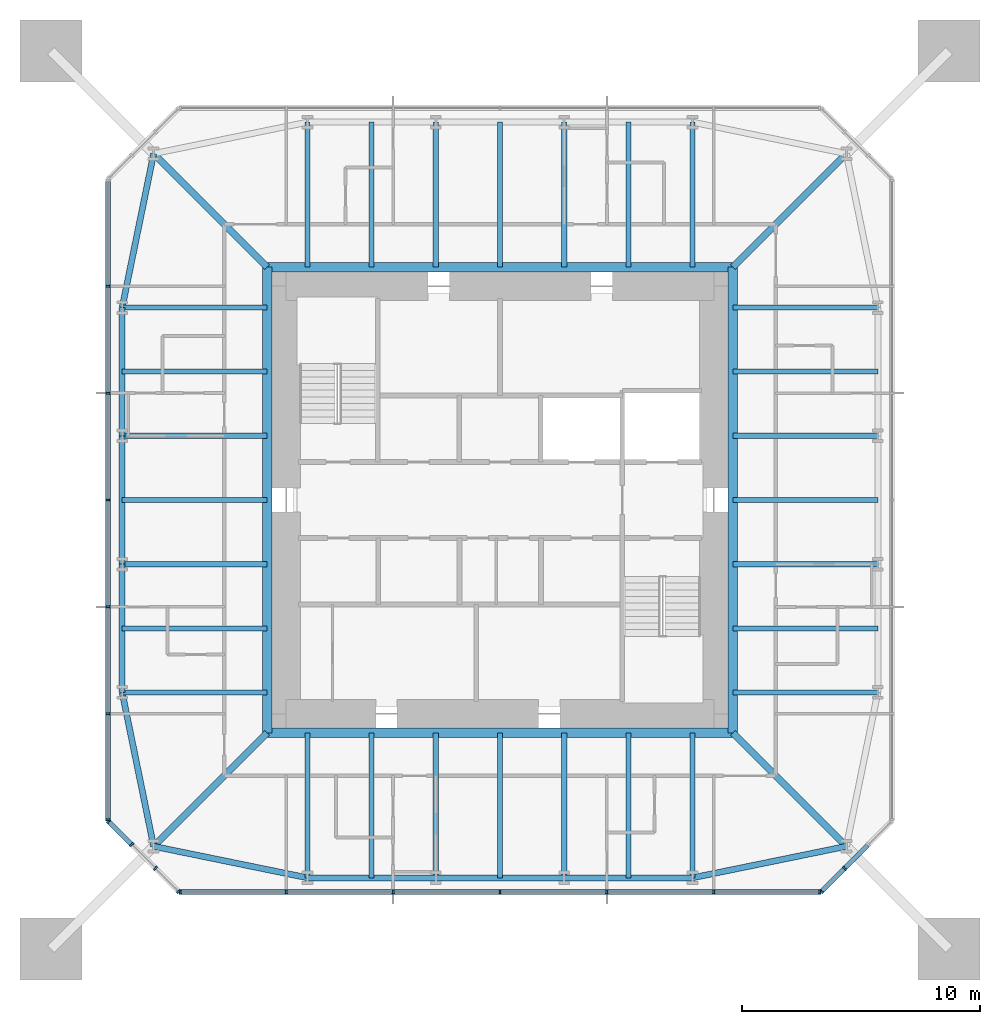
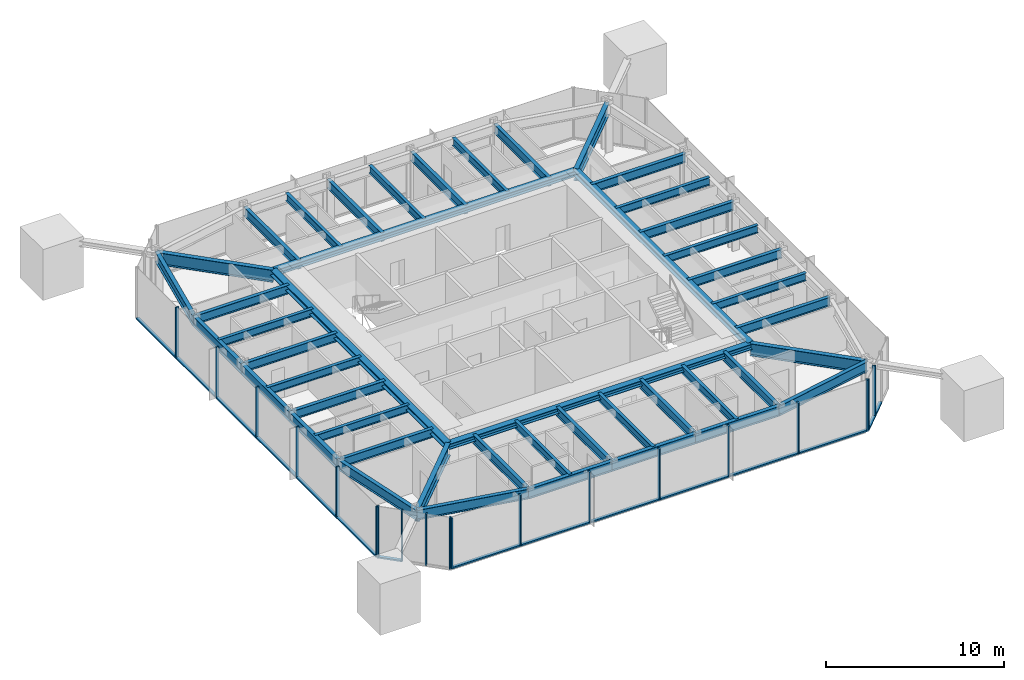
# One storey, part 2 of 9: 46 beams, 34 members, 4 elements without a shape of their own.
"""IFC4 building model written with IfcOpenShell, lengths in metres."""

from ifc_helpers import new_model, si_unit, direction, frame, origin, origin_2d, place, context, subcontext, project, spatial, rectangle, i_section, extrude, material, material_profile, profile_set, type_object, element, aggregate, save


model = new_model("IFC4")

# Units and contexts
model_context = context("Model", 3, precision=1e-05, world=origin(), true_north=direction((0.0, 1.0)))
body_context = subcontext(model_context, "Body", "Model", "MODEL_VIEW")
ifc_project = project(units=[si_unit("LENGTHUNIT", "METRE"), si_unit("AREAUNIT", "SQUARE_METRE"), si_unit("VOLUMEUNIT", "CUBIC_METRE"), si_unit("PLANEANGLEUNIT", "RADIAN"), si_unit("MASSUNIT", "GRAM", prefix="KILO")], contexts=[model_context])

# Site, building, storey
site_placement = place(None, origin())
site = spatial("IfcSite", under=ifc_project, at=site_placement, CompositionType="ELEMENT")
building_placement = place(site_placement, origin())
building = spatial("IfcBuilding", under=site, at=building_placement, Name="Iwan Alto Co-Living Towers", CompositionType="ELEMENT")
storey_placement = place(building_placement, frame((0.0, 0.0, 239.5)))
storey = spatial("IfcBuildingStorey", under=building, at=storey_placement, Name="L65", CompositionType="ELEMENT", Elevation=239.5)

# Curtain wall, members
ifc_material_1 = material(Name="Bronze aluminium unitised frame", Category="aluminium")
curtain_wall_type_1 = type_object("IfcCurtainWallType", Name="CURTAIN WALL CW-A", PredefinedType="NOTDEFINED", material=ifc_material_1)
curtain_wall_1_placement = place(storey_placement, origin())
curtain_wall_1 = element("IfcCurtainWall", 1, at=curtain_wall_1_placement, inside=storey, type_object=curtain_wall_type_1, Name="T1 curtain wall S L65", PredefinedType="NOTDEFINED")
ifc_material_2 = material(Name="Aluminium 6063-T6 bronze anodised", Category="aluminium")
ifc_material_profile_1 = material_profile(ifc_material_2, rectangle(XDim=0.199951171875, YDim=0.080078125, at=origin_2d()), Name="AL 80X200")
ifc_profile_set_1 = profile_set([ifc_material_profile_1], Name="Aluminium 6063-T6 bronze anodised")
member_type_1 = type_object("IfcMemberType", Name="CW-A MULLION 80X200", PredefinedType="MULLION", material=ifc_profile_set_1)
member_1_placement = place(storey_placement, frame((-13.4599609375, -16.5, 0.0), z_axis=(0.0, 0.0, 1.0), x_axis=(0.0, 1.0, 0.0)))
member_1 = element("IfcMember", 2, at=member_1_placement, type_object=member_type_1, Name="CW-A mullion 1", PredefinedType="MULLION", context=body_context, shape_type="SweptSolid", body=[
    extrude(rectangle(XDim=0.199951171875, YDim=0.080078125, at=origin_2d()), origin(), (0.0, 0.0, 1.0), 3.5),
])
member_2_placement = place(storey_placement, frame((-9.0, -16.5, 0.0), z_axis=(0.0, 0.0, 1.0), x_axis=(0.0, 1.0, 0.0)))
member_2 = element("IfcMember", 3, at=member_2_placement, type_object=member_type_1, Name="CW-A mullion 2", PredefinedType="MULLION", context=body_context, shape_type="SweptSolid", body=[
    extrude(rectangle(XDim=0.199951171875, YDim=0.080078125, at=origin_2d()), origin(), (0.0, 0.0, 1.0), 3.5),
])
member_3_placement = place(storey_placement, frame((-4.5, -16.5, 0.0), z_axis=(0.0, 0.0, 1.0), x_axis=(0.0, 1.0, 0.0)))
member_3 = element("IfcMember", 4, at=member_3_placement, type_object=member_type_1, Name="CW-A mullion 3", PredefinedType="MULLION", context=body_context, shape_type="SweptSolid", body=[
    extrude(rectangle(XDim=0.199951171875, YDim=0.080078125, at=origin_2d()), origin(), (0.0, 0.0, 1.0), 3.5),
])
member_4_placement = place(storey_placement, frame((0.0, -16.5, 0.0), z_axis=(0.0, 0.0, 1.0), x_axis=(0.0, 1.0, 0.0)))
member_4 = element("IfcMember", 5, at=member_4_placement, type_object=member_type_1, Name="CW-A mullion 4", PredefinedType="MULLION", context=body_context, shape_type="SweptSolid", body=[
    extrude(rectangle(XDim=0.199951171875, YDim=0.080078125, at=origin_2d()), origin(), (0.0, 0.0, 1.0), 3.5),
])
member_5_placement = place(storey_placement, frame((4.5, -16.5, 0.0), z_axis=(0.0, 0.0, 1.0), x_axis=(0.0, 1.0, 0.0)))
member_5 = element("IfcMember", 6, at=member_5_placement, type_object=member_type_1, Name="CW-A mullion 5", PredefinedType="MULLION", context=body_context, shape_type="SweptSolid", body=[
    extrude(rectangle(XDim=0.199951171875, YDim=0.080078125, at=origin_2d()), origin(), (0.0, 0.0, 1.0), 3.5),
])
member_6_placement = place(storey_placement, frame((9.0, -16.5, 0.0), z_axis=(0.0, 0.0, 1.0), x_axis=(0.0, 1.0, 0.0)))
member_6 = element("IfcMember", 7, at=member_6_placement, type_object=member_type_1, Name="CW-A mullion 6", PredefinedType="MULLION", context=body_context, shape_type="SweptSolid", body=[
    extrude(rectangle(XDim=0.199951171875, YDim=0.080078125, at=origin_2d()), origin(), (0.0, 0.0, 1.0), 3.5),
])
member_7_placement = place(storey_placement, frame((13.4599609375, -16.5, 0.0), z_axis=(0.0, 0.0, 1.0), x_axis=(0.0, 1.0, 0.0)))
member_7 = element("IfcMember", 8, at=member_7_placement, type_object=member_type_1, Name="CW-A mullion 7", PredefinedType="MULLION", context=body_context, shape_type="SweptSolid", body=[
    extrude(rectangle(XDim=0.199951171875, YDim=0.080078125, at=origin_2d()), origin(), (0.0, 0.0, 1.0), 3.5),
])

curtain_wall_2_placement = place(storey_placement, origin())
curtain_wall_2 = element("IfcCurtainWall", 9, at=curtain_wall_2_placement, inside=storey, type_object=curtain_wall_type_1, Name="T1 curtain wall W L65", PredefinedType="NOTDEFINED")
member_8_placement = place(storey_placement, frame((-16.5, 9.0, 0.0), z_axis=(0.0, 0.0, 1.0), x_axis=(1.0, 0.0, 0.0)))
member_8 = element("IfcMember", 10, at=member_8_placement, type_object=member_type_1, Name="CW-A mullion 2", PredefinedType="MULLION", context=body_context, shape_type="SweptSolid", body=[
    extrude(rectangle(XDim=0.199951171875, YDim=0.080078125, at=origin_2d()), origin(), (0.0, 0.0, 1.0), 3.5),
])
member_9_placement = place(storey_placement, frame((-16.5, 4.5, 0.0), z_axis=(0.0, 0.0, 1.0), x_axis=(1.0, 0.0, 0.0)))
member_9 = element("IfcMember", 11, at=member_9_placement, type_object=member_type_1, Name="CW-A mullion 3", PredefinedType="MULLION", context=body_context, shape_type="SweptSolid", body=[
    extrude(rectangle(XDim=0.199951171875, YDim=0.080078125, at=origin_2d()), origin(), (0.0, 0.0, 1.0), 3.5),
])
member_10_placement = place(storey_placement, frame((-16.5, 0.0, 0.0), z_axis=(0.0, 0.0, 1.0), x_axis=(1.0, 0.0, 0.0)))
member_10 = element("IfcMember", 12, at=member_10_placement, type_object=member_type_1, Name="CW-A mullion 4", PredefinedType="MULLION", context=body_context, shape_type="SweptSolid", body=[
    extrude(rectangle(XDim=0.199951171875, YDim=0.080078125, at=origin_2d()), origin(), (0.0, 0.0, 1.0), 3.5),
])
member_11_placement = place(storey_placement, frame((-16.5, -4.5, 0.0), z_axis=(0.0, 0.0, 1.0), x_axis=(1.0, 0.0, 0.0)))
member_11 = element("IfcMember", 13, at=member_11_placement, type_object=member_type_1, Name="CW-A mullion 5", PredefinedType="MULLION", context=body_context, shape_type="SweptSolid", body=[
    extrude(rectangle(XDim=0.199951171875, YDim=0.080078125, at=origin_2d()), origin(), (0.0, 0.0, 1.0), 3.5),
])
member_12_placement = place(storey_placement, frame((-16.5, -9.0, 0.0), z_axis=(0.0, 0.0, 1.0), x_axis=(1.0, 0.0, 0.0)))
member_12 = element("IfcMember", 14, at=member_12_placement, type_object=member_type_1, Name="CW-A mullion 6", PredefinedType="MULLION", context=body_context, shape_type="SweptSolid", body=[
    extrude(rectangle(XDim=0.199951171875, YDim=0.080078125, at=origin_2d()), origin(), (0.0, 0.0, 1.0), 3.5),
])
member_13_placement = place(storey_placement, frame((-16.5, -13.4599609375, 0.0), z_axis=(0.0, 0.0, 1.0), x_axis=(1.0, 0.0, 0.0)))
member_13 = element("IfcMember", 15, at=member_13_placement, type_object=member_type_1, Name="CW-A mullion 7", PredefinedType="MULLION", context=body_context, shape_type="SweptSolid", body=[
    extrude(rectangle(XDim=0.199951171875, YDim=0.080078125, at=origin_2d()), origin(), (0.0, 0.0, 1.0), 3.5),
])

# Member
ifc_material_3 = material(Name="Aluminium 6063-T6 bronze anodised", Category="aluminium")
ifc_material_profile_2 = material_profile(ifc_material_3, rectangle(XDim=0.199951171875, YDim=0.10009765625, at=origin_2d()), Name="AL 200X100")
ifc_profile_set_2 = profile_set([ifc_material_profile_2], Name="Aluminium 6063-T6 bronze anodised")
member_type_2 = type_object("IfcMemberType", Name="CW-A TRANSOM 200X100", PredefinedType="USERDEFINED", material=ifc_profile_set_2)
member_14_placement = place(storey_placement, frame((-13.419921875, -16.5, 0.050048828125), z_axis=(1.0, 0.0, 0.0), x_axis=(0.0, 1.0, 0.0)))
member_14 = element("IfcMember", 16, at=member_14_placement, type_object=member_type_2, Name="CW-A transom 1.1", ObjectType="TRANSOM", PredefinedType="USERDEFINED", context=body_context, shape_type="SweptSolid", body=[
    extrude(rectangle(XDim=0.199951171875, YDim=0.10009765625, at=origin_2d()), origin(), (0.0, 0.0, 1.0), 4.3798828125),
])

member_15_placement = place(storey_placement, frame((-8.9599609375, -16.5, 0.050048828125), z_axis=(1.0, 0.0, 0.0), x_axis=(0.0, 1.0, 0.0)))
member_15 = element("IfcMember", 17, at=member_15_placement, type_object=member_type_2, Name="CW-A transom 2.1", ObjectType="TRANSOM", PredefinedType="USERDEFINED", context=body_context, shape_type="SweptSolid", body=[
    extrude(rectangle(XDim=0.199951171875, YDim=0.10009765625, at=origin_2d()), origin(), (0.0, 0.0, 1.0), 4.419921875),
])

member_16_placement = place(storey_placement, frame((-4.4599609375, -16.5, 0.050048828125), z_axis=(1.0, 0.0, 0.0), x_axis=(0.0, 1.0, 0.0)))
member_16 = element("IfcMember", 18, at=member_16_placement, type_object=member_type_2, Name="CW-A transom 3.1", ObjectType="TRANSOM", PredefinedType="USERDEFINED", context=body_context, shape_type="SweptSolid", body=[
    extrude(rectangle(XDim=0.199951171875, YDim=0.10009765625, at=origin_2d()), origin(), (0.0, 0.0, 1.0), 4.419921875),
])

member_17_placement = place(storey_placement, frame((0.0400390625, -16.5, 0.050048828125), z_axis=(1.0, 0.0, 0.0), x_axis=(0.0, 1.0, 0.0)))
member_17 = element("IfcMember", 19, at=member_17_placement, type_object=member_type_2, Name="CW-A transom 4.1", ObjectType="TRANSOM", PredefinedType="USERDEFINED", context=body_context, shape_type="SweptSolid", body=[
    extrude(rectangle(XDim=0.199951171875, YDim=0.10009765625, at=origin_2d()), origin(), (0.0, 0.0, 1.0), 4.419921875),
])

member_18_placement = place(storey_placement, frame((4.5400390625, -16.5, 0.050048828125), z_axis=(1.0, 0.0, 0.0), x_axis=(0.0, 1.0, 0.0)))
member_18 = element("IfcMember", 20, at=member_18_placement, type_object=member_type_2, Name="CW-A transom 5.1", ObjectType="TRANSOM", PredefinedType="USERDEFINED", context=body_context, shape_type="SweptSolid", body=[
    extrude(rectangle(XDim=0.199951171875, YDim=0.10009765625, at=origin_2d()), origin(), (0.0, 0.0, 1.0), 4.419921875),
])

member_19_placement = place(storey_placement, frame((9.0400390625, -16.5, 0.050048828125), z_axis=(1.0, 0.0, 0.0), x_axis=(0.0, 1.0, 0.0)))
member_19 = element("IfcMember", 21, at=member_19_placement, type_object=member_type_2, Name="CW-A transom 6.1", ObjectType="TRANSOM", PredefinedType="USERDEFINED", context=body_context, shape_type="SweptSolid", body=[
    extrude(rectangle(XDim=0.199951171875, YDim=0.10009765625, at=origin_2d()), origin(), (0.0, 0.0, 1.0), 4.3798828125),
])

aggregate(curtain_wall_1, [member_1, member_2, member_3, member_4, member_5, member_6, member_7, member_14, member_15, member_16, member_17, member_18, member_19])

member_20_placement = place(storey_placement, frame((-16.5, 13.419921875, 0.050048828125), z_axis=(0.0, -1.0, 0.0), x_axis=(1.0, 0.0, 0.0)))
member_20 = element("IfcMember", 22, at=member_20_placement, type_object=member_type_2, Name="CW-A transom 1.1", ObjectType="TRANSOM", PredefinedType="USERDEFINED", context=body_context, shape_type="SweptSolid", body=[
    extrude(rectangle(XDim=0.199951171875, YDim=0.10009765625, at=origin_2d()), origin(), (0.0, 0.0, 1.0), 4.3798828125),
])

member_21_placement = place(storey_placement, frame((-16.5, 8.9599609375, 0.050048828125), z_axis=(0.0, -1.0, 0.0), x_axis=(1.0, 0.0, 0.0)))
member_21 = element("IfcMember", 23, at=member_21_placement, type_object=member_type_2, Name="CW-A transom 2.1", ObjectType="TRANSOM", PredefinedType="USERDEFINED", context=body_context, shape_type="SweptSolid", body=[
    extrude(rectangle(XDim=0.199951171875, YDim=0.10009765625, at=origin_2d()), origin(), (0.0, 0.0, 1.0), 4.419921875),
])

member_22_placement = place(storey_placement, frame((-16.5, 4.4599609375, 0.050048828125), z_axis=(0.0, -1.0, 0.0), x_axis=(1.0, 0.0, 0.0)))
member_22 = element("IfcMember", 24, at=member_22_placement, type_object=member_type_2, Name="CW-A transom 3.1", ObjectType="TRANSOM", PredefinedType="USERDEFINED", context=body_context, shape_type="SweptSolid", body=[
    extrude(rectangle(XDim=0.199951171875, YDim=0.10009765625, at=origin_2d()), origin(), (0.0, 0.0, 1.0), 4.419921875),
])

member_23_placement = place(storey_placement, frame((-16.5, -0.0400390625, 0.050048828125), z_axis=(0.0, -1.0, 0.0), x_axis=(1.0, 0.0, 0.0)))
member_23 = element("IfcMember", 25, at=member_23_placement, type_object=member_type_2, Name="CW-A transom 4.1", ObjectType="TRANSOM", PredefinedType="USERDEFINED", context=body_context, shape_type="SweptSolid", body=[
    extrude(rectangle(XDim=0.199951171875, YDim=0.10009765625, at=origin_2d()), origin(), (0.0, 0.0, 1.0), 4.419921875),
])

member_24_placement = place(storey_placement, frame((-16.5, -4.5400390625, 0.050048828125), z_axis=(0.0, -1.0, 0.0), x_axis=(1.0, 0.0, 0.0)))
member_24 = element("IfcMember", 26, at=member_24_placement, type_object=member_type_2, Name="CW-A transom 5.1", ObjectType="TRANSOM", PredefinedType="USERDEFINED", context=body_context, shape_type="SweptSolid", body=[
    extrude(rectangle(XDim=0.199951171875, YDim=0.10009765625, at=origin_2d()), origin(), (0.0, 0.0, 1.0), 4.419921875),
])

member_25_placement = place(storey_placement, frame((-16.5, -9.0400390625, 0.050048828125), z_axis=(0.0, -1.0, 0.0), x_axis=(1.0, 0.0, 0.0)))
member_25 = element("IfcMember", 27, at=member_25_placement, type_object=member_type_2, Name="CW-A transom 6.1", ObjectType="TRANSOM", PredefinedType="USERDEFINED", context=body_context, shape_type="SweptSolid", body=[
    extrude(rectangle(XDim=0.199951171875, YDim=0.10009765625, at=origin_2d()), origin(), (0.0, 0.0, 1.0), 4.3798828125),
])

aggregate(curtain_wall_2, [member_8, member_9, member_10, member_11, member_12, member_13, member_20, member_21, member_22, member_23, member_24, member_25])

# Curtain wall, members
ifc_material_4 = material(Name="Bronze aluminium unitised frame", Category="aluminium")
curtain_wall_type_2 = type_object("IfcCurtainWallType", Name="CURTAIN WALL CW-B", PredefinedType="NOTDEFINED", material=ifc_material_4)
curtain_wall_3_placement = place(storey_placement, origin())
curtain_wall_3 = element("IfcCurtainWall", 28, at=curtain_wall_3_placement, inside=storey, type_object=curtain_wall_type_2, Name="T1 chamfer curtain wall SE L65", PredefinedType="NOTDEFINED")
ifc_material_5 = material(Name="Aluminium 6063-T6 bronze anodised", Category="aluminium")
ifc_material_profile_3 = material_profile(ifc_material_5, rectangle(XDim=0.199951171875, YDim=0.080078125, at=origin_2d()), Name="AL 80X200")
ifc_profile_set_3 = profile_set([ifc_material_profile_3], Name="Aluminium 6063-T6 bronze anodised")
member_type_3 = type_object("IfcMemberType", Name="CW-B MULLION 80X200", PredefinedType="MULLION", material=ifc_profile_set_3)
member_26_placement = place(storey_placement, frame((13.5283203125, -16.4716796875, 0.0), z_axis=(0.0, 0.0, 1.0), x_axis=(-0.707106781187, 0.707106781187, 0.0)))
member_26 = element("IfcMember", 29, at=member_26_placement, type_object=member_type_3, Name="CW-B mullion 1", PredefinedType="MULLION", context=body_context, shape_type="SweptSolid", body=[
    extrude(rectangle(XDim=0.199951171875, YDim=0.080078125, at=origin_2d()), origin(), (0.0, 0.0, 1.0), 3.5),
])
member_27_placement = place(storey_placement, frame((14.5, -15.5, 0.0), z_axis=(0.0, 0.0, 1.0), x_axis=(-0.707106781187, 0.707106781187, 0.0)))
member_27 = element("IfcMember", 30, at=member_27_placement, type_object=member_type_3, Name="CW-B mullion 2", PredefinedType="MULLION", context=body_context, shape_type="SweptSolid", body=[
    extrude(rectangle(XDim=0.199951171875, YDim=0.080078125, at=origin_2d()), origin(), (0.0, 0.0, 1.0), 3.5),
])

curtain_wall_4_placement = place(storey_placement, origin())
curtain_wall_4 = element("IfcCurtainWall", 31, at=curtain_wall_4_placement, inside=storey, type_object=curtain_wall_type_2, Name="T1 chamfer curtain wall SW L65", PredefinedType="NOTDEFINED")
member_28_placement = place(storey_placement, frame((-16.4716796875, -13.5283203125, 0.0), z_axis=(0.0, 0.0, 1.0), x_axis=(0.707106781187, 0.707106781187, 0.0)))
member_28 = element("IfcMember", 32, at=member_28_placement, type_object=member_type_3, Name="CW-B mullion 1", PredefinedType="MULLION", context=body_context, shape_type="SweptSolid", body=[
    extrude(rectangle(XDim=0.199951171875, YDim=0.080078125, at=origin_2d()), origin(), (0.0, 0.0, 1.0), 3.5),
])
member_29_placement = place(storey_placement, frame((-15.5, -14.5, 0.0), z_axis=(0.0, 0.0, 1.0), x_axis=(0.707106781187, 0.707106781187, 0.0)))
member_29 = element("IfcMember", 33, at=member_29_placement, type_object=member_type_3, Name="CW-B mullion 2", PredefinedType="MULLION", context=body_context, shape_type="SweptSolid", body=[
    extrude(rectangle(XDim=0.199951171875, YDim=0.080078125, at=origin_2d()), origin(), (0.0, 0.0, 1.0), 3.5),
])
member_30_placement = place(storey_placement, frame((-14.5, -15.5, 0.0), z_axis=(0.0, 0.0, 1.0), x_axis=(0.707106781187, 0.707106781187, 0.0)))
member_30 = element("IfcMember", 34, at=member_30_placement, type_object=member_type_3, Name="CW-B mullion 3", PredefinedType="MULLION", context=body_context, shape_type="SweptSolid", body=[
    extrude(rectangle(XDim=0.199951171875, YDim=0.080078125, at=origin_2d()), origin(), (0.0, 0.0, 1.0), 3.5),
])
member_31_placement = place(storey_placement, frame((-13.5283203125, -16.4716796875, 0.0), z_axis=(0.0, 0.0, 1.0), x_axis=(0.707106781187, 0.707106781187, 0.0)))
member_31 = element("IfcMember", 35, at=member_31_placement, type_object=member_type_3, Name="CW-B mullion 4", PredefinedType="MULLION", context=body_context, shape_type="SweptSolid", body=[
    extrude(rectangle(XDim=0.199951171875, YDim=0.080078125, at=origin_2d()), origin(), (0.0, 0.0, 1.0), 3.5),
])

# Member
ifc_material_6 = material(Name="Aluminium 6063-T6 bronze anodised", Category="aluminium")
ifc_material_profile_4 = material_profile(ifc_material_6, rectangle(XDim=0.199951171875, YDim=0.10009765625, at=origin_2d()), Name="AL 200X100")
ifc_profile_set_4 = profile_set([ifc_material_profile_4], Name="Aluminium 6063-T6 bronze anodised")
member_type_4 = type_object("IfcMemberType", Name="CW-B TRANSOM 200X100", PredefinedType="USERDEFINED", material=ifc_profile_set_4)
member_32_placement = place(storey_placement, frame((13.556640625, -16.443359375, 0.050048828125), z_axis=(0.707106781187, 0.707106781187, 0.0), x_axis=(-0.707106781187, 0.707106781187, 0.0)))
member_32 = element("IfcMember", 36, at=member_32_placement, type_object=member_type_4, Name="CW-B transom 1.1", ObjectType="TRANSOM", PredefinedType="USERDEFINED", context=body_context, shape_type="SweptSolid", body=[
    extrude(rectangle(XDim=0.199951171875, YDim=0.10009765625, at=origin_2d()), origin(), (0.0, 0.0, 1.0), 1.2939453125),
])

member_33_placement = place(storey_placement, frame((14.5283203125, -15.4716796875, 0.050048828125), z_axis=(0.707106781187, 0.707106781187, 0.0), x_axis=(-0.707106781187, 0.707106781187, 0.0)))
member_33 = element("IfcMember", 37, at=member_33_placement, type_object=member_type_4, Name="CW-B transom 2.1", ObjectType="TRANSOM", PredefinedType="USERDEFINED", context=body_context, shape_type="SweptSolid", body=[
    extrude(rectangle(XDim=0.199951171875, YDim=0.10009765625, at=origin_2d()), origin(), (0.0, 0.0, 1.0), 1.334228515625),
])

aggregate(curtain_wall_3, [member_26, member_27, member_32, member_33])

member_34_placement = place(storey_placement, frame((-16.443359375, -13.556640625, 0.050048828125), z_axis=(0.707106781187, -0.707106781187, 0.0), x_axis=(0.707106781187, 0.707106781187, 0.0)))
member_34 = element("IfcMember", 38, at=member_34_placement, type_object=member_type_4, Name="CW-B transom 1.1", ObjectType="TRANSOM", PredefinedType="USERDEFINED", context=body_context, shape_type="SweptSolid", body=[
    extrude(rectangle(XDim=0.199951171875, YDim=0.10009765625, at=origin_2d()), origin(), (0.0, 0.0, 1.0), 1.2939453125),
])

aggregate(curtain_wall_4, [member_28, member_29, member_30, member_31, member_34])

# Beams
ifc_material_7 = material(Name="Steel ASTM A992 Gr 50", Category="steel")
ifc_material_profile_5 = material_profile(ifc_material_7, i_section(OverallWidth=0.398681640625, OverallDepth=0.385986328125, WebThickness=0.02099609375, FlangeThickness=0.033203125, at=origin_2d()), Name="W14X176")
ifc_profile_set_5 = profile_set([ifc_material_profile_5], Name="Steel ASTM A992 Gr 50")
beam_type_1 = type_object("IfcBeamType", Name="T1 CORE LEDGER BEAM W14X176", PredefinedType="BEAM", material=ifc_profile_set_5)
for number, where, z_axis, x_axis, name in (
    (39, (-9.79931640625, -9.79931640625, 3.076904296875), (1.0, 0.0, 0.0), (0.0, 1.0, 0.0), "T1 core ledger beam S L66"),
    (40, (9.79931640625, -9.79931640625, 3.076904296875), (0.0, 1.0, 0.0), (-1.0, 0.0, 0.0), "T1 core ledger beam E L66"),
    (41, (9.79931640625, 9.79931640625, 3.076904296875), (-1.0, 0.0, 0.0), (0.0, -1.0, 0.0), "T1 core ledger beam N L66"),
    (42, (-9.79931640625, 9.79931640625, 3.076904296875), (0.0, -1.0, 0.0), (1.0, 0.0, 0.0), "T1 core ledger beam W L66"),
):
    element("IfcBeam", number, at=place(storey_placement, frame(where, z_axis=z_axis, x_axis=x_axis)), inside=storey, type_object=beam_type_1, Name=name, PredefinedType="BEAM", context=body_context, shape_type="SweptSolid", body=[
        extrude(i_section(OverallWidth=0.398681640625, OverallDepth=0.385986328125, WebThickness=0.02099609375, FlangeThickness=0.033203125, at=origin_2d()), origin(), (0.0, 0.0, 1.0), 19.5986328125),
    ])
ifc_material_8 = material(Name="Steel ASTM A992 Gr 50", Category="steel")
ifc_material_profile_6 = material_profile(ifc_material_8, i_section(OverallWidth=0.2919921875, OverallDepth=0.8408203125, WebThickness=0.0146484375, FlangeThickness=0.021728515625, at=origin_2d()), Name="W33X130")
ifc_profile_set_6 = profile_set([ifc_material_profile_6], Name="Steel ASTM A992 Gr 50")
beam_type_2 = type_object("IfcBeamType", Name="T1 CORNER GIRDER W33X130", PredefinedType="BEAM", material=ifc_profile_set_6)
for number, where, z_axis, x_axis, name in (
    (43, (-14.57568359375, -14.57568359375, 2.849609375), (0.707106781187, 0.707106781187, 0.0), (-0.707106781187, 0.707106781187, 0.0), "T1 corner girder CSW L66"),
    (44, (14.57568359375, -14.57568359375, 2.849609375), (-0.707106781187, 0.707106781187, 0.0), (-0.707106781187, -0.707106781187, 0.0), "T1 corner girder CSE L66"),
    (45, (14.57568359375, 14.57568359375, 2.849609375), (-0.707106781187, -0.707106781187, 0.0), (0.707106781187, -0.707106781187, 0.0), "T1 corner girder CNE L66"),
    (46, (-14.57568359375, 14.57568359375, 2.849609375), (0.707106781187, -0.707106781187, 0.0), (0.707106781187, 0.707106781187, 0.0), "T1 corner girder CNW L66"),
):
    element("IfcBeam", number, at=place(storey_placement, frame(where, z_axis=z_axis, x_axis=x_axis)), inside=storey, type_object=beam_type_2, Name=name, PredefinedType="BEAM", context=body_context, shape_type="SweptSolid", body=[
        extrude(i_section(OverallWidth=0.2919921875, OverallDepth=0.8408203125, WebThickness=0.0146484375, FlangeThickness=0.021728515625, at=origin_2d()), origin(), (0.0, 0.0, 1.0), 6.7548828125),
    ])
ifc_material_9 = material(Name="Steel ASTM A992 Gr 50", Category="steel")
ifc_material_profile_7 = material_profile(ifc_material_9, i_section(OverallWidth=0.25390625, OverallDepth=0.683349609375, WebThickness=0.012451171875, FlangeThickness=0.018798828125, at=origin_2d()), Name="W27X94")
ifc_profile_set_7 = profile_set([ifc_material_profile_7], Name="Steel ASTM A992 Gr 50")
beam_type_3 = type_object("IfcBeamType", Name="T1 EDGE BEAM W27X94", PredefinedType="BEAM", material=ifc_profile_set_7)
beam_1_placement = place(storey_placement, frame((-14.57568359375, -14.57568359375, 2.928466796875), z_axis=(0.979724820103, -0.200347889618, 0.0), x_axis=(0.200347889618, 0.979724820103, 0.0)))
element("IfcBeam", 47, at=beam_1_placement, inside=storey, type_object=beam_type_3, Name="T1 edge beam CSW L66", PredefinedType="BEAM", context=body_context, shape_type="SweptSolid", body=[
    extrude(i_section(OverallWidth=0.25390625, OverallDepth=0.683349609375, WebThickness=0.012451171875, FlangeThickness=0.018798828125, at=origin_2d()), origin(), (0.0, 0.0, 1.0), 6.609619140625),
])
beam_2_placement = place(storey_placement, frame((-8.10009765625, -15.89990234375, 2.928466796875), z_axis=(1.0, 0.0, 0.0), x_axis=(0.0, 1.0, 0.0)))
element("IfcBeam", 48, at=beam_2_placement, inside=storey, type_object=beam_type_3, Name="T1 edge beam S1 L66", PredefinedType="BEAM", context=body_context, shape_type="SweptSolid", body=[
    extrude(i_section(OverallWidth=0.25390625, OverallDepth=0.683349609375, WebThickness=0.012451171875, FlangeThickness=0.018798828125, at=origin_2d()), origin(), (0.0, 0.0, 1.0), 5.400146484375),
])
beam_3_placement = place(storey_placement, frame((-2.699951171875, -15.89990234375, 2.928466796875), z_axis=(1.0, 0.0, 0.0), x_axis=(0.0, 1.0, 0.0)))
element("IfcBeam", 49, at=beam_3_placement, inside=storey, type_object=beam_type_3, Name="T1 edge beam S2 L66", PredefinedType="BEAM", context=body_context, shape_type="SweptSolid", body=[
    extrude(i_section(OverallWidth=0.25390625, OverallDepth=0.683349609375, WebThickness=0.012451171875, FlangeThickness=0.018798828125, at=origin_2d()), origin(), (0.0, 0.0, 1.0), 5.39990234375),
])
beam_4_placement = place(storey_placement, frame((2.699951171875, -15.89990234375, 2.928466796875), z_axis=(1.0, 0.0, 0.0), x_axis=(0.0, 1.0, 0.0)))
element("IfcBeam", 50, at=beam_4_placement, inside=storey, type_object=beam_type_3, Name="T1 edge beam S3 L66", PredefinedType="BEAM", context=body_context, shape_type="SweptSolid", body=[
    extrude(i_section(OverallWidth=0.25390625, OverallDepth=0.683349609375, WebThickness=0.012451171875, FlangeThickness=0.018798828125, at=origin_2d()), origin(), (0.0, 0.0, 1.0), 5.400146484375),
])
for number, where, z_axis, x_axis, name in (
    (51, (8.10009765625, -15.89990234375, 2.928466796875), (0.979724820103, 0.200347889618, 0.0), (-0.200347889618, 0.979724820103, 0.0), "T1 edge beam S4 L66"),
    (52, (-14.57568359375, 14.57568359375, 2.928466796875), (-0.200347889618, -0.979724820103, 0.0), (0.979724820103, -0.200347889618, 0.0), "T1 edge beam CNW L66"),
):
    element("IfcBeam", number, at=place(storey_placement, frame(where, z_axis=z_axis, x_axis=x_axis)), inside=storey, type_object=beam_type_3, Name=name, PredefinedType="BEAM", context=body_context, shape_type="SweptSolid", body=[
        extrude(i_section(OverallWidth=0.25390625, OverallDepth=0.683349609375, WebThickness=0.012451171875, FlangeThickness=0.018798828125, at=origin_2d()), origin(), (0.0, 0.0, 1.0), 6.609619140625),
    ])
beam_5_placement = place(storey_placement, frame((-15.89990234375, 8.10009765625, 2.928466796875), z_axis=(0.0, -1.0, 0.0), x_axis=(1.0, 0.0, 0.0)))
element("IfcBeam", 53, at=beam_5_placement, inside=storey, type_object=beam_type_3, Name="T1 edge beam W1 L66", PredefinedType="BEAM", context=body_context, shape_type="SweptSolid", body=[
    extrude(i_section(OverallWidth=0.25390625, OverallDepth=0.683349609375, WebThickness=0.012451171875, FlangeThickness=0.018798828125, at=origin_2d()), origin(), (0.0, 0.0, 1.0), 5.400146484375),
])
beam_6_placement = place(storey_placement, frame((-15.89990234375, 2.699951171875, 2.928466796875), z_axis=(0.0, -1.0, 0.0), x_axis=(1.0, 0.0, 0.0)))
element("IfcBeam", 54, at=beam_6_placement, inside=storey, type_object=beam_type_3, Name="T1 edge beam W2 L66", PredefinedType="BEAM", context=body_context, shape_type="SweptSolid", body=[
    extrude(i_section(OverallWidth=0.25390625, OverallDepth=0.683349609375, WebThickness=0.012451171875, FlangeThickness=0.018798828125, at=origin_2d()), origin(), (0.0, 0.0, 1.0), 5.39990234375),
])
beam_7_placement = place(storey_placement, frame((-15.89990234375, -2.699951171875, 2.928466796875), z_axis=(0.0, -1.0, 0.0), x_axis=(1.0, 0.0, 0.0)))
element("IfcBeam", 55, at=beam_7_placement, inside=storey, type_object=beam_type_3, Name="T1 edge beam W3 L66", PredefinedType="BEAM", context=body_context, shape_type="SweptSolid", body=[
    extrude(i_section(OverallWidth=0.25390625, OverallDepth=0.683349609375, WebThickness=0.012451171875, FlangeThickness=0.018798828125, at=origin_2d()), origin(), (0.0, 0.0, 1.0), 5.400146484375),
])
beam_8_placement = place(storey_placement, frame((-15.89990234375, -8.10009765625, 2.928466796875), z_axis=(0.200347889618, -0.979724820103, 0.0), x_axis=(0.979724820103, 0.200347889618, 0.0)))
element("IfcBeam", 56, at=beam_8_placement, inside=storey, type_object=beam_type_3, Name="T1 edge beam W4 L66", PredefinedType="BEAM", context=body_context, shape_type="SweptSolid", body=[
    extrude(i_section(OverallWidth=0.25390625, OverallDepth=0.683349609375, WebThickness=0.012451171875, FlangeThickness=0.018798828125, at=origin_2d()), origin(), (0.0, 0.0, 1.0), 6.609619140625),
])
ifc_material_10 = material(Name="Steel ASTM A992 Gr 50", Category="steel")
ifc_material_profile_8 = material_profile(ifc_material_10, i_section(OverallWidth=0.228271484375, OverallDepth=0.607177734375, WebThickness=0.01123046875, FlangeThickness=0.017333984375, at=origin_2d()), Name="W24X76")
ifc_profile_set_8 = profile_set([ifc_material_profile_8], Name="Steel ASTM A992 Gr 50")
beam_type_4 = type_object("IfcBeamType", Name="T1 RADIAL BEAM W24X76", PredefinedType="BEAM", material=ifc_profile_set_8)
for number, where, z_axis, x_axis, name in (
    (57, (-8.10009765625, -15.89990234375, 2.966552734375), (0.0, 1.0, 0.0), (-1.0, 0.0, 0.0), "T1 radial beam S1 L66"),
    (58, (-2.699951171875, -15.89990234375, 2.966552734375), (0.0, 1.0, 0.0), (-1.0, 0.0, 0.0), "T1 radial beam S2 L66"),
    (59, (2.699951171875, -15.89990234375, 2.966552734375), (0.0, 1.0, 0.0), (-1.0, 0.0, 0.0), "T1 radial beam S3 L66"),
    (60, (8.10009765625, -15.89990234375, 2.966552734375), (0.0, 1.0, 0.0), (-1.0, 0.0, 0.0), "T1 radial beam S4 L66"),
    (61, (15.89990234375, -8.10009765625, 2.966552734375), (-1.0, 0.0, 0.0), (0.0, -1.0, 0.0), "T1 radial beam E1 L66"),
    (62, (15.89990234375, -2.699951171875, 2.966552734375), (-1.0, 0.0, 0.0), (0.0, -1.0, 0.0), "T1 radial beam E2 L66"),
    (63, (15.89990234375, 2.699951171875, 2.966552734375), (-1.0, 0.0, 0.0), (0.0, -1.0, 0.0), "T1 radial beam E3 L66"),
    (64, (15.89990234375, 8.10009765625, 2.966552734375), (-1.0, 0.0, 0.0), (0.0, -1.0, 0.0), "T1 radial beam E4 L66"),
    (65, (8.10009765625, 15.89990234375, 2.966552734375), (0.0, -1.0, 0.0), (1.0, 0.0, 0.0), "T1 radial beam N1 L66"),
    (66, (2.699951171875, 15.89990234375, 2.966552734375), (0.0, -1.0, 0.0), (1.0, 0.0, 0.0), "T1 radial beam N2 L66"),
    (67, (-2.699951171875, 15.89990234375, 2.966552734375), (0.0, -1.0, 0.0), (1.0, 0.0, 0.0), "T1 radial beam N3 L66"),
    (68, (-8.10009765625, 15.89990234375, 2.966552734375), (0.0, -1.0, 0.0), (1.0, 0.0, 0.0), "T1 radial beam N4 L66"),
    (69, (-15.89990234375, 8.10009765625, 2.966552734375), (1.0, 0.0, 0.0), (0.0, 1.0, 0.0), "T1 radial beam W1 L66"),
    (70, (-15.89990234375, 2.699951171875, 2.966552734375), (1.0, 0.0, 0.0), (0.0, 1.0, 0.0), "T1 radial beam W2 L66"),
    (71, (-15.89990234375, -2.699951171875, 2.966552734375), (1.0, 0.0, 0.0), (0.0, 1.0, 0.0), "T1 radial beam W3 L66"),
    (72, (-15.89990234375, -8.10009765625, 2.966552734375), (1.0, 0.0, 0.0), (0.0, 1.0, 0.0), "T1 radial beam W4 L66"),
):
    element("IfcBeam", number, at=place(storey_placement, frame(where, z_axis=z_axis, x_axis=x_axis)), inside=storey, type_object=beam_type_4, Name=name, PredefinedType="BEAM", context=body_context, shape_type="SweptSolid", body=[
        extrude(i_section(OverallWidth=0.228271484375, OverallDepth=0.607177734375, WebThickness=0.01123046875, FlangeThickness=0.017333984375, at=origin_2d()), origin(), (0.0, 0.0, 1.0), 6.1005859375),
    ])
ifc_material_11 = material(Name="Steel ASTM A992 Gr 50", Category="steel")
ifc_material_profile_9 = material_profile(ifc_material_11, i_section(OverallWidth=0.209228515625, OverallDepth=0.533447265625, WebThickness=0.01025390625, FlangeThickness=0.015625, at=origin_2d()), Name="W21X62")
ifc_profile_set_9 = profile_set([ifc_material_profile_9], Name="Steel ASTM A992 Gr 50")
beam_type_5 = type_object("IfcBeamType", Name="T1 SECONDARY BEAM W21X62", PredefinedType="JOIST", material=ifc_profile_set_9)
for number, where, z_axis, x_axis, name in (
    (73, (-5.39990234375, -15.89990234375, 3.00341796875), (0.0, 1.0, 0.0), (-1.0, 0.0, 0.0), "T1 secondary beam S1 L66"),
    (74, (0.0, -15.89990234375, 3.00341796875), (0.0, 1.0, 0.0), (-1.0, 0.0, 0.0), "T1 secondary beam S2 L66"),
    (75, (5.39990234375, -15.89990234375, 3.00341796875), (0.0, 1.0, 0.0), (-1.0, 0.0, 0.0), "T1 secondary beam S3 L66"),
    (76, (15.89990234375, -5.39990234375, 3.00341796875), (-1.0, 0.0, 0.0), (0.0, -1.0, 0.0), "T1 secondary beam E1 L66"),
    (77, (15.89990234375, 0.0, 3.00341796875), (-1.0, 0.0, 0.0), (0.0, -1.0, 0.0), "T1 secondary beam E2 L66"),
    (78, (15.89990234375, 5.39990234375, 3.00341796875), (-1.0, 0.0, 0.0), (0.0, -1.0, 0.0), "T1 secondary beam E3 L66"),
    (79, (5.39990234375, 15.89990234375, 3.00341796875), (0.0, -1.0, 0.0), (1.0, 0.0, 0.0), "T1 secondary beam N1 L66"),
    (80, (0.0, 15.89990234375, 3.00341796875), (0.0, -1.0, 0.0), (1.0, 0.0, 0.0), "T1 secondary beam N2 L66"),
    (81, (-5.39990234375, 15.89990234375, 3.00341796875), (0.0, -1.0, 0.0), (1.0, 0.0, 0.0), "T1 secondary beam N3 L66"),
    (82, (-15.89990234375, 5.39990234375, 3.00341796875), (1.0, 0.0, 0.0), (0.0, 1.0, 0.0), "T1 secondary beam W1 L66"),
    (83, (-15.89990234375, 0.0, 3.00341796875), (1.0, 0.0, 0.0), (0.0, 1.0, 0.0), "T1 secondary beam W2 L66"),
    (84, (-15.89990234375, -5.39990234375, 3.00341796875), (1.0, 0.0, 0.0), (0.0, 1.0, 0.0), "T1 secondary beam W3 L66"),
):
    element("IfcBeam", number, at=place(storey_placement, frame(where, z_axis=z_axis, x_axis=x_axis)), inside=storey, type_object=beam_type_5, Name=name, PredefinedType="JOIST", context=body_context, shape_type="SweptSolid", body=[
        extrude(i_section(OverallWidth=0.209228515625, OverallDepth=0.533447265625, WebThickness=0.01025390625, FlangeThickness=0.015625, at=origin_2d()), origin(), (0.0, 0.0, 1.0), 6.1005859375),
    ])

save(model, "model.ifc")
